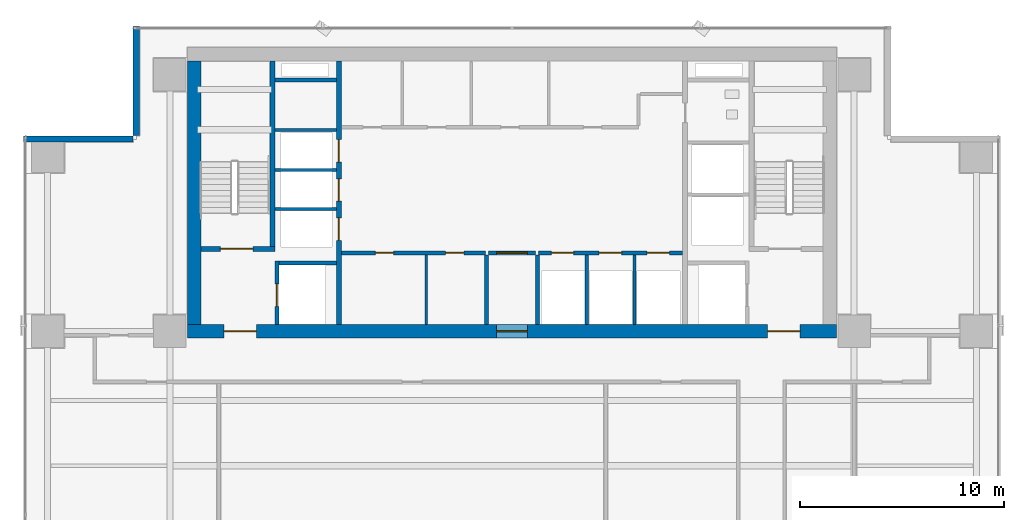
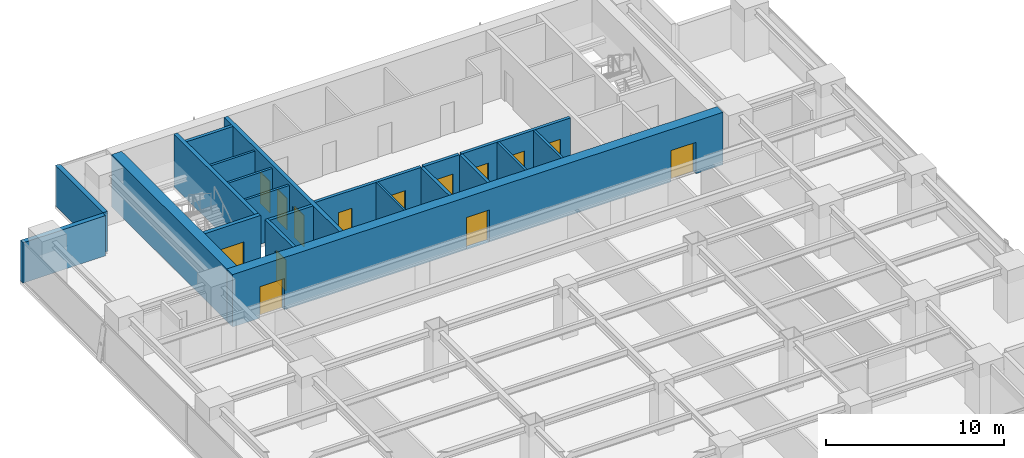
# One storey, part 21 of 27: 21 walls, 14 doors, 14 openings.
"""IFC4 building model written with IfcOpenShell, lengths in metres."""

from ifc_helpers import new_model, si_unit, direction, frame, frame_2d, origin, place, context, subcontext, project, spatial, rectangle, extrude, source, transform, mapped, material, layer, layer_set, type_object, element, fill, save


model = new_model("IFC4")

# Units and contexts
model_context = context("Model", 3, precision=1e-05, world=origin(), true_north=direction((0.0, 1.0)))
body_context = subcontext(model_context, "Body", "Model", "MODEL_VIEW")
ifc_project = project(units=[si_unit("LENGTHUNIT", "METRE"), si_unit("AREAUNIT", "SQUARE_METRE"), si_unit("VOLUMEUNIT", "CUBIC_METRE"), si_unit("PLANEANGLEUNIT", "RADIAN"), si_unit("MASSUNIT", "GRAM", prefix="KILO")], contexts=[model_context])

# Site, building, storey
site_placement = place(None, origin())
site = spatial("IfcSite", under=ifc_project, at=site_placement, CompositionType="ELEMENT")
building_placement = place(site_placement, origin())
building = spatial("IfcBuilding", under=site, at=building_placement, Name="Sumidabori Civic Tower", CompositionType="ELEMENT")
storey_placement = place(building_placement, frame((0.0, 0.0, 160.39990234375)))
storey = spatial("IfcBuildingStorey", under=building, at=storey_placement, Name="L41", CompositionType="ELEMENT", Elevation=160.39990234375)

# Walls
ifc_material_1 = material(Name="Concrete C50/60", Category="concrete")
ifc_layer_1 = layer(ifc_material_1, 0.199951171875, Name="Concrete C50/60")
ifc_layer_set_1 = layer_set([ifc_layer_1], Name="Concrete C50/60")
wall_type_1 = type_object("IfcWallType", Name="WL-SHAFT-200", PredefinedType="SHEAR", material=ifc_layer_set_1)
shared_shape_1 = source(origin(), body_context, "Body", "SweptSolid", [
    extrude(rectangle(XDim=2.824951171875, YDim=0.199951171875, at=frame_2d((1.41259765625, 0.0))), origin(), (0.0, 0.0, 1.0), 3.60009765625),
])
wall_1_placement = place(storey_placement, frame((-11.449951171875, 13.550048828125, 0.0), z_axis=(0.0, 0.0, 1.0), x_axis=(1.0, 0.0, 0.0)))
element("IfcWall", 1, at=wall_1_placement, inside=storey, type_object=wall_type_1, Name="Core Shear Wall L41 EL1-N", PredefinedType="SHEAR", context=body_context, shape_type="MappedRepresentation", body=[
    mapped(shared_shape_1, transform((0.0, 0.0, 0.0), x_axis=(1.0, 0.0, 0.0), y_axis=(0.0, 1.0, 0.0), z_axis=(0.0, 0.0, 1.0), scale=1.0)),
])
shared_shape_2 = source(origin(), body_context, "Body", "SweptSolid", [
    extrude(rectangle(XDim=3.02001953125, YDim=0.199951171875, at=frame_2d((1.510009765625, 0.0))), origin(), (0.0, 0.0, 1.0), 3.60009765625),
])
wall_2_placement = place(storey_placement, frame((-11.64501953125, 22.550048828125, 0.0), z_axis=(0.0, 0.0, 1.0), x_axis=(1.0, 0.0, 0.0)))
element("IfcWall", 2, at=wall_2_placement, inside=storey, type_object=wall_type_1, Name="Core Shear Wall L41 RIS1-S", PredefinedType="SHEAR", context=body_context, shape_type="MappedRepresentation", body=[
    mapped(shared_shape_2, transform((0.0, 0.0, 0.0), x_axis=(1.0, 0.0, 0.0), y_axis=(0.0, 1.0, 0.0), z_axis=(0.0, 0.0, 1.0), scale=1.0)),
])

# Wall, openings, doors
ifc_material_2 = material(Name="Concrete C60/75", Category="concrete")
ifc_layer_2 = layer(ifc_material_2, 0.64990234375, Name="Concrete C60/75")
ifc_layer_set_2 = layer_set([ifc_layer_2], Name="Concrete C60/75")
wall_type_2 = type_object("IfcWallType", Name="WL-CORE-650", PredefinedType="SHEAR", material=ifc_layer_set_2)
shared_shape_3 = source(origin(), body_context, "Body", "SweptSolid", [
    extrude(rectangle(XDim=31.85009765625, YDim=0.64990234375, at=frame_2d((15.925048828125, 0.0))), origin(), (0.0, 0.0, 1.0), 3.60009765625),
])
wall_3_placement = place(storey_placement, frame((-15.925048828125, 10.199951171875, 0.0), z_axis=(0.0, 0.0, 1.0), x_axis=(1.0, 0.0, 0.0)))
wall_3 = element("IfcWall", 3, at=wall_3_placement, inside=storey, type_object=wall_type_2, Name="Core Shear Wall L41 S", PredefinedType="SHEAR", context=body_context, shape_type="MappedRepresentation", body=[
    mapped(shared_shape_3, transform((0.0, 0.0, 0.0), x_axis=(1.0, 0.0, 0.0), y_axis=(0.0, 1.0, 0.0), z_axis=(0.0, 0.0, 1.0), scale=1.0)),
])
opening_1_placement = place(wall_3_placement, frame((1.77490234375, 0.0, 0.0)))
opening_1 = element("IfcOpeningElement", 4, at=opening_1_placement, cuts=wall_3, Name="Opening DR-FD4", PredefinedType="OPENING", context=body_context, shape_type="SweptSolid", body=[
    extrude(rectangle(XDim=1.60009765625, YDim=2.14990234375, at=frame_2d((0.800048828125, 1.074951171875))), frame((0.0, 0.3369140625, 0.0), z_axis=(0.0, -1.0, 0.0), x_axis=(1.0, 0.0, 0.0)), (0.0, 0.0, 1.0), 0.673828125),
])
opening_2_placement = place(wall_3_placement, frame((28.47509765625, 0.0, 0.0)))
opening_2 = element("IfcOpeningElement", 5, at=opening_2_placement, cuts=wall_3, Name="Opening DR-FD4", PredefinedType="OPENING", context=body_context, shape_type="SweptSolid", body=[
    extrude(rectangle(XDim=1.60009765625, YDim=2.14990234375, at=frame_2d((0.800048828125, 1.074951171875))), frame((0.0, 0.3369140625, 0.0), z_axis=(0.0, -1.0, 0.0), x_axis=(1.0, 0.0, 0.0)), (0.0, 0.0, 1.0), 0.673828125),
])
opening_3_placement = place(wall_3_placement, frame((15.175048828125, 0.0, 0.0)))
opening_3 = element("IfcOpeningElement", 6, at=opening_3_placement, cuts=wall_3, Name="Opening DR-FD3", PredefinedType="OPENING", context=body_context, shape_type="SweptSolid", body=[
    extrude(rectangle(XDim=1.5, YDim=2.199951171875, at=frame_2d((0.75, 1.10009765625))), frame((0.0, 0.3369140625, 0.0), z_axis=(0.0, -1.0, 0.0), x_axis=(1.0, 0.0, 0.0)), (0.0, 0.0, 1.0), 0.673828125),
])
ifc_material_3 = material(Name="Steel SN490", Category="steel")
door_type_1 = type_object("IfcDoorType", Name="DR-FD4", OperationType="DOUBLE_DOOR_SINGLE_SWING", PredefinedType="DOOR", material=ifc_material_3)
shared_shape_4 = source(origin(), body_context, "Body", "SweptSolid", [
    extrude(rectangle(XDim=1.60009765625, YDim=2.14990234375, at=frame_2d((0.800048828125, 1.074951171875))), frame((0.0, 0.02490234375, 0.0), z_axis=(0.0, -1.0, 0.0), x_axis=(1.0, 0.0, 0.0)), (0.0, 0.0, 1.0), 0.050048828125),
])
door_1_placement = place(opening_1_placement, origin())
door_1 = element("IfcDoor", 7, at=door_1_placement, inside=storey, type_object=door_type_1, Name="Door DR:L41:ELOB-W", OperationType="DOUBLE_DOOR_SINGLE_SWING", OverallHeight=2.14990234375, OverallWidth=1.60009765625, PredefinedType="DOOR", context=body_context, shape_type="MappedRepresentation", body=[
    mapped(shared_shape_4, transform((0.0, 0.0, 0.0), x_axis=(1.0, 0.0, 0.0), y_axis=(0.0, 1.0, 0.0), z_axis=(0.0, 0.0, 1.0), scale=1.0)),
])
fill(opening_1, door_1)
door_2_placement = place(opening_2_placement, origin())
door_2 = element("IfcDoor", 8, at=door_2_placement, inside=storey, type_object=door_type_1, Name="Door DR:L41:ELOB-E", OperationType="DOUBLE_DOOR_SINGLE_SWING", OverallHeight=2.14990234375, OverallWidth=1.60009765625, PredefinedType="DOOR", context=body_context, shape_type="MappedRepresentation", body=[
    mapped(shared_shape_4, transform((0.0, 0.0, 0.0), x_axis=(1.0, 0.0, 0.0), y_axis=(0.0, 1.0, 0.0), z_axis=(0.0, 0.0, 1.0), scale=1.0)),
])
fill(opening_2, door_2)
door_type_2 = type_object("IfcDoorType", Name="DR-FD-DBL", OperationType="DOUBLE_DOOR_SINGLE_SWING", PredefinedType="DOOR", material=ifc_material_3)
shared_shape_5 = source(origin(), body_context, "Body", "SweptSolid", [
    extrude(rectangle(XDim=1.5, YDim=2.199951171875, at=frame_2d((0.75, 1.10009765625))), frame((0.0, 0.02490234375, 0.0), z_axis=(0.0, -1.0, 0.0), x_axis=(1.0, 0.0, 0.0)), (0.0, 0.0, 1.0), 0.050048828125),
])
door_3_placement = place(opening_3_placement, origin())
door_3 = element("IfcDoor", 9, at=door_3_placement, inside=storey, type_object=door_type_2, Name="Door DR:L41:THROAT-OUT", OperationType="DOUBLE_DOOR_SINGLE_SWING", OverallHeight=2.199951171875, OverallWidth=1.5, PredefinedType="DOOR", context=body_context, shape_type="MappedRepresentation", body=[
    mapped(shared_shape_5, transform((0.0, 0.0, 0.0), x_axis=(1.0, 0.0, 0.0), y_axis=(0.0, 1.0, 0.0), z_axis=(0.0, 0.0, 1.0), scale=1.0)),
])
fill(opening_3, door_3)

# Wall
shared_shape_6 = source(origin(), body_context, "Body", "SweptSolid", [
    extrude(rectangle(XDim=12.9501953125, YDim=0.64990234375, at=frame_2d((6.47509765625, 0.0))), origin(), (0.0, 0.0, 1.0), 3.60009765625),
])
wall_4_placement = place(storey_placement, frame((-15.60009765625, 10.52490234375, 0.0), z_axis=(0.0, 0.0, 1.0), x_axis=(0.0, 1.0, 0.0)))
element("IfcWall", 10, at=wall_4_placement, inside=storey, type_object=wall_type_2, Name="Core Shear Wall L41 W", PredefinedType="SHEAR", context=body_context, shape_type="MappedRepresentation", body=[
    mapped(shared_shape_6, transform((0.0, 0.0, 0.0), x_axis=(1.0, 0.0, 0.0), y_axis=(0.0, 1.0, 0.0), z_axis=(0.0, 0.0, 1.0), scale=1.0)),
])

# Wall, openings, doors
ifc_layer_3 = layer(ifc_material_1, 0.25, Name="Concrete C50/60")
ifc_layer_set_3 = layer_set([ifc_layer_3], Name="Concrete C50/60")
wall_type_3 = type_object("IfcWallType", Name="WL-SHAFT-250", PredefinedType="SHEAR", material=ifc_layer_set_3)
shared_shape_7 = source(origin(), body_context, "Body", "SweptSolid", [
    extrude(rectangle(XDim=12.9501953125, YDim=0.25, at=frame_2d((6.47509765625, 0.0))), origin(), (0.0, 0.0, 1.0), 3.60009765625),
])
wall_5_placement = place(storey_placement, frame((-8.5, 10.52490234375, 0.0), z_axis=(0.0, 0.0, 1.0), x_axis=(0.0, 1.0, 0.0)))
wall_5 = element("IfcWall", 11, at=wall_5_placement, inside=storey, type_object=wall_type_3, Name="Core Shear Wall L41 WEB-W", PredefinedType="SHEAR", context=body_context, shape_type="MappedRepresentation", body=[
    mapped(shared_shape_7, transform((0.0, 0.0, 0.0), x_axis=(1.0, 0.0, 0.0), y_axis=(0.0, 1.0, 0.0), z_axis=(0.0, 0.0, 1.0), scale=1.0)),
])
opening_4_placement = place(wall_5_placement, frame((4.14501953125, 0.0, 0.0)))
opening_4 = element("IfcOpeningElement", 12, at=opening_4_placement, cuts=wall_5, Name="Opening LD-1", PredefinedType="OPENING", context=body_context, shape_type="SweptSolid", body=[
    extrude(rectangle(XDim=1.10009765625, YDim=2.14990234375, at=frame_2d((0.550048828125, 1.074951171875))), frame((0.0, 0.136962890625, 0.0), z_axis=(0.0, -1.0, 0.0), x_axis=(1.0, 0.0, 0.0)), (0.0, 0.0, 1.0), 0.27392578125),
])
opening_5_placement = place(wall_5_placement, frame((6.06494140625, 0.0, 0.0)))
opening_5 = element("IfcOpeningElement", 13, at=opening_5_placement, cuts=wall_5, Name="Opening LD-1", PredefinedType="OPENING", context=body_context, shape_type="SweptSolid", body=[
    extrude(rectangle(XDim=1.10009765625, YDim=2.14990234375, at=frame_2d((0.550048828125, 1.074951171875))), frame((0.0, 0.136962890625, 0.0), z_axis=(0.0, -1.0, 0.0), x_axis=(1.0, 0.0, 0.0)), (0.0, 0.0, 1.0), 0.27392578125),
])
opening_6_placement = place(wall_5_placement, frame((7.985107421875, 0.0, 0.0)))
opening_6 = element("IfcOpeningElement", 14, at=opening_6_placement, cuts=wall_5, Name="Opening LD-1", PredefinedType="OPENING", context=body_context, shape_type="SweptSolid", body=[
    extrude(rectangle(XDim=1.10009765625, YDim=2.14990234375, at=frame_2d((0.550048828125, 1.074951171875))), frame((0.0, 0.136962890625, 0.0), z_axis=(0.0, -1.0, 0.0), x_axis=(1.0, 0.0, 0.0)), (0.0, 0.0, 1.0), 0.27392578125),
])
ifc_material_4 = material(Name="Stainless Steel Hairline Finish", Category="steel")
door_type_3 = type_object("IfcDoorType", Name="DR-LD1", OperationType="DOUBLE_DOOR_SLIDING", PredefinedType="DOOR", material=ifc_material_4)
shared_shape_8 = source(origin(), body_context, "Body", "SweptSolid", [
    extrude(rectangle(XDim=1.10009765625, YDim=2.14990234375, at=frame_2d((0.550048828125, 1.074951171875))), frame((0.0, 0.02490234375, 0.0), z_axis=(0.0, -1.0, 0.0), x_axis=(1.0, 0.0, 0.0)), (0.0, 0.0, 1.0), 0.050048828125),
])
door_4_placement = place(opening_4_placement, origin())
door_4 = element("IfcDoor", 15, at=door_4_placement, inside=storey, type_object=door_type_3, Name="Door DR:L41:LD-PLH1", OperationType="DOUBLE_DOOR_SLIDING", OverallHeight=2.14990234375, OverallWidth=1.10009765625, PredefinedType="DOOR", context=body_context, shape_type="MappedRepresentation", body=[
    mapped(shared_shape_8, transform((0.0, 0.0, 0.0), x_axis=(1.0, 0.0, 0.0), y_axis=(0.0, 1.0, 0.0), z_axis=(0.0, 0.0, 1.0), scale=1.0)),
])
fill(opening_4, door_4)
door_5_placement = place(opening_5_placement, origin())
door_5 = element("IfcDoor", 16, at=door_5_placement, inside=storey, type_object=door_type_3, Name="Door DR:L41:LD-PLH2", OperationType="DOUBLE_DOOR_SLIDING", OverallHeight=2.14990234375, OverallWidth=1.10009765625, PredefinedType="DOOR", context=body_context, shape_type="MappedRepresentation", body=[
    mapped(shared_shape_8, transform((0.0, 0.0, 0.0), x_axis=(1.0, 0.0, 0.0), y_axis=(0.0, 1.0, 0.0), z_axis=(0.0, 0.0, 1.0), scale=1.0)),
])
fill(opening_5, door_5)
door_6_placement = place(opening_6_placement, origin())
door_6 = element("IfcDoor", 17, at=door_6_placement, inside=storey, type_object=door_type_3, Name="Door DR:L41:LD-PLH3", OperationType="DOUBLE_DOOR_SLIDING", OverallHeight=2.14990234375, OverallWidth=1.10009765625, PredefinedType="DOOR", context=body_context, shape_type="MappedRepresentation", body=[
    mapped(shared_shape_8, transform((0.0, 0.0, 0.0), x_axis=(1.0, 0.0, 0.0), y_axis=(0.0, 1.0, 0.0), z_axis=(0.0, 0.0, 1.0), scale=1.0)),
])
fill(opening_6, door_6)

# Wall, opening, door
shared_shape_9 = source(origin(), body_context, "Body", "SweptSolid", [
    extrude(rectangle(XDim=3.6298828125, YDim=0.25, at=frame_2d((1.81494140625, 0.0))), origin(), (0.0, 0.0, 1.0), 3.60009765625),
])
wall_6_placement = place(storey_placement, frame((-15.27490234375, 14.25, 0.0), z_axis=(0.0, 0.0, 1.0), x_axis=(1.0, 0.0, 0.0)))
wall_6 = element("IfcWall", 18, at=wall_6_placement, inside=storey, type_object=wall_type_3, Name="Core Shear Wall L41 ST1-S", PredefinedType="SHEAR", context=body_context, shape_type="MappedRepresentation", body=[
    mapped(shared_shape_9, transform((0.0, 0.0, 0.0), x_axis=(1.0, 0.0, 0.0), y_axis=(0.0, 1.0, 0.0), z_axis=(0.0, 0.0, 1.0), scale=1.0)),
])
opening_7_placement = place(wall_6_placement, frame((0.949951171875, 0.0, 0.0)))
opening_7 = element("IfcOpeningElement", 19, at=opening_7_placement, cuts=wall_6, Name="Opening DR-FD4", PredefinedType="OPENING", context=body_context, shape_type="SweptSolid", body=[
    extrude(rectangle(XDim=1.60009765625, YDim=2.14990234375, at=frame_2d((0.800048828125, 1.074951171875))), frame((0.0, 0.136962890625, 0.0), z_axis=(0.0, -1.0, 0.0), x_axis=(1.0, 0.0, 0.0)), (0.0, 0.0, 1.0), 0.27392578125),
])
door_7_placement = place(opening_7_placement, origin())
door_7 = element("IfcDoor", 20, at=door_7_placement, inside=storey, type_object=door_type_1, Name="Door DR:L41:ST1", OperationType="DOUBLE_DOOR_SINGLE_SWING", OverallHeight=2.14990234375, OverallWidth=1.60009765625, PredefinedType="DOOR", context=body_context, shape_type="MappedRepresentation", body=[
    mapped(shared_shape_4, transform((0.0, 0.0, 0.0), x_axis=(1.0, 0.0, 0.0), y_axis=(0.0, 1.0, 0.0), z_axis=(0.0, 0.0, 1.0), scale=1.0)),
])
fill(opening_7, door_7)

# Wall
shared_shape_10 = source(origin(), body_context, "Body", "SweptSolid", [
    extrude(rectangle(XDim=9.10009765625, YDim=0.25, at=frame_2d((4.550048828125, 0.0))), origin(), (0.0, 0.0, 1.0), 3.60009765625),
])
wall_7_placement = place(storey_placement, frame((-11.77001953125, 14.375, 0.0), z_axis=(0.0, 0.0, 1.0), x_axis=(0.0, 1.0, 0.0)))
element("IfcWall", 21, at=wall_7_placement, inside=storey, type_object=wall_type_3, Name="Core Shear Wall L41 ST1-E", PredefinedType="SHEAR", context=body_context, shape_type="MappedRepresentation", body=[
    mapped(shared_shape_10, transform((0.0, 0.0, 0.0), x_axis=(1.0, 0.0, 0.0), y_axis=(0.0, 1.0, 0.0), z_axis=(0.0, 0.0, 1.0), scale=1.0)),
])

# Wall, opening, door
shared_shape_11 = source(origin(), body_context, "Body", "SweptSolid", [
    extrude(rectangle(XDim=3.125, YDim=0.199951171875, at=frame_2d((1.5625, 0.0))), origin(), (0.0, 0.0, 1.0), 3.60009765625),
])
wall_8_placement = place(storey_placement, frame((-11.550048828125, 10.52490234375, 0.0), z_axis=(0.0, 0.0, 1.0), x_axis=(0.0, 1.0, 0.0)))
wall_8 = element("IfcWall", 22, at=wall_8_placement, inside=storey, type_object=wall_type_1, Name="Core Shear Wall L41 EL1-W", PredefinedType="SHEAR", context=body_context, shape_type="MappedRepresentation", body=[
    mapped(shared_shape_11, transform((0.0, 0.0, 0.0), x_axis=(1.0, 0.0, 0.0), y_axis=(0.0, 1.0, 0.0), z_axis=(0.0, 0.0, 1.0), scale=1.0)),
])
opening_8_placement = place(wall_8_placement, frame((0.89990234375, 0.0, 0.0)))
opening_8 = element("IfcOpeningElement", 23, at=opening_8_placement, cuts=wall_8, Name="Opening LD-2", PredefinedType="OPENING", context=body_context, shape_type="SweptSolid", body=[
    extrude(rectangle(XDim=1.10009765625, YDim=2.14990234375, at=frame_2d((0.550048828125, 1.074951171875))), frame((0.0, 0.11181640625, 0.0), z_axis=(0.0, -1.0, 0.0), x_axis=(1.0, 0.0, 0.0)), (0.0, 0.0, 1.0), 0.223876953125),
])
door_type_4 = type_object("IfcDoorType", Name="DR-LD2", OperationType="DOUBLE_DOOR_SLIDING", PredefinedType="DOOR", material=ifc_material_4)
door_8_placement = place(opening_8_placement, origin())
door_8 = element("IfcDoor", 24, at=door_8_placement, inside=storey, type_object=door_type_4, Name="Door DR:L41:LD-EL1", OperationType="DOUBLE_DOOR_SLIDING", OverallHeight=2.14990234375, OverallWidth=1.10009765625, PredefinedType="DOOR", context=body_context, shape_type="MappedRepresentation", body=[
    mapped(shared_shape_8, transform((0.0, 0.0, 0.0), x_axis=(1.0, 0.0, 0.0), y_axis=(0.0, 1.0, 0.0), z_axis=(0.0, 0.0, 1.0), scale=1.0)),
])
fill(opening_8, door_8)

# Walls
ifc_material_5 = material(Name="Precast concrete C40/50", Category="concrete")
ifc_layer_4 = layer(ifc_material_5, 0.300048828125, Name="Precast concrete C40/50")
ifc_layer_set_4 = layer_set([ifc_layer_4], Name="Precast concrete C40/50")
wall_type_4 = type_object("IfcWallType", Name="WL-EXT-POD300", PredefinedType="STANDARD", material=ifc_layer_set_4)
shared_shape_12 = source(origin(), body_context, "Body", "SweptSolid", [
    extrude(rectangle(XDim=5.35986328125, YDim=0.300048828125, at=frame_2d((2.679931640625, 0.0))), origin(), (0.0, 0.0, 1.0), 2.760009765625),
])
for number, where, z_axis, x_axis, name in (
    (25, (-18.449951171875, 25.179931640625, 0.0), (0.0, 0.0, 1.0), (0.0, -1.0, 0.0), "Notched Corner Spandrel Band L41-08"),
    (26, (-18.6201171875, 19.64990234375, 0.0), (0.0, 0.0, 1.0), (-1.0, 0.0, 0.0), "Notched Corner Spandrel Band L41-09"),
):
    element("IfcWall", number, at=place(storey_placement, frame(where, z_axis=z_axis, x_axis=x_axis)), inside=storey, type_object=wall_type_4, Name=name, PredefinedType="STANDARD", context=body_context, shape_type="MappedRepresentation", body=[
        mapped(shared_shape_12, transform((0.0, 0.0, 0.0), x_axis=(1.0, 0.0, 0.0), y_axis=(0.0, 1.0, 0.0), z_axis=(0.0, 0.0, 1.0), scale=1.0)),
    ])
ifc_material_6 = material(Name="Gypsum Plasterboard Acoustic Partition")
ifc_layer_5 = layer(ifc_material_6, 0.14990234375, Name="Gypsum Plasterboard Acoustic Partition")
ifc_layer_set_5 = layer_set([ifc_layer_5], Name="Gypsum Plasterboard Acoustic Partition")
wall_type_5 = type_object("IfcWallType", Name="WL-PART-150", PredefinedType="PARTITIONING", material=ifc_layer_set_5)
shared_shape_13 = source(origin(), body_context, "Body", "SweptSolid", [
    extrude(rectangle(XDim=3.010009765625, YDim=0.14990234375, at=frame_2d((1.5048828125, 0.0))), origin(), (0.0, 0.0, 1.0), 3.380126953125),
])
for number, where, z_axis, x_axis, name in (
    (27, (-11.639892578125, 16.199951171875, 0.0), (0.0, 0.0, 1.0), (1.0, 0.0, 0.0), "Interior Partition WL:L41:DIV-PLH1"),
    (28, (-11.639892578125, 18.1201171875, 0.0), (0.0, 0.0, 1.0), (1.0, 0.0, 0.0), "Interior Partition WL:L41:DIV-PLH2"),
    (29, (-11.639892578125, 20.080078125, 0.0), (0.0, 0.0, 1.0), (1.0, 0.0, 0.0), "Interior Partition WL:L41:DIV-PLH3"),
):
    element("IfcWall", number, at=place(storey_placement, frame(where, z_axis=z_axis, x_axis=x_axis)), inside=storey, type_object=wall_type_5, Name=name, PredefinedType="PARTITIONING", context=body_context, shape_type="MappedRepresentation", body=[
        mapped(shared_shape_13, transform((0.0, 0.0, 0.0), x_axis=(1.0, 0.0, 0.0), y_axis=(0.0, 1.0, 0.0), z_axis=(0.0, 0.0, 1.0), scale=1.0)),
    ])

# Wall, openings, doors
ifc_material_7 = material(Name="Gypsum Plasterboard Fire Partition")
ifc_layer_6 = layer(ifc_material_7, 0.199951171875, Name="Gypsum Plasterboard Fire Partition")
ifc_layer_set_6 = layer_set([ifc_layer_6], Name="Gypsum Plasterboard Fire Partition")
wall_type_6 = type_object("IfcWallType", Name="WL-PART-FIRE", PredefinedType="PARTITIONING", material=ifc_layer_set_6)
shared_shape_14 = source(origin(), body_context, "Body", "SweptSolid", [
    extrude(rectangle(XDim=7.070068359375, YDim=0.199951171875, at=frame_2d((3.53515625, 0.0))), origin(), (0.0, 0.0, 1.0), 3.380126953125),
])
wall_9_placement = place(storey_placement, frame((-8.3701171875, 14.050048828125, 0.0), z_axis=(0.0, 0.0, 1.0), x_axis=(1.0, 0.0, 0.0)))
wall_9 = element("IfcWall", 30, at=wall_9_placement, inside=storey, type_object=wall_type_6, Name="Interior Partition WL:L41:CBAND-SW", PredefinedType="PARTITIONING", context=body_context, shape_type="MappedRepresentation", body=[
    mapped(shared_shape_14, transform((0.0, 0.0, 0.0), x_axis=(1.0, 0.0, 0.0), y_axis=(0.0, 1.0, 0.0), z_axis=(0.0, 0.0, 1.0), scale=1.0)),
])
opening_9_placement = place(wall_9_placement, frame((1.659912109375, 0.0, 0.0)))
opening_9 = element("IfcOpeningElement", 31, at=opening_9_placement, cuts=wall_9, Name="Opening DR-1", PredefinedType="OPENING", context=body_context, shape_type="SweptSolid", body=[
    extrude(rectangle(XDim=0.89990234375, YDim=2.14990234375, at=frame_2d((0.449951171875, 1.074951171875))), frame((0.0, 0.11181640625, 0.0), z_axis=(0.0, -1.0, 0.0), x_axis=(1.0, 0.0, 0.0)), (0.0, 0.0, 1.0), 0.223876953125),
])
opening_10_placement = place(wall_9_placement, frame((5.110107421875, 0.0, 0.0)))
opening_10 = element("IfcOpeningElement", 32, at=opening_10_placement, cuts=wall_9, Name="Opening DR-1", PredefinedType="OPENING", context=body_context, shape_type="SweptSolid", body=[
    extrude(rectangle(XDim=0.89990234375, YDim=2.14990234375, at=frame_2d((0.449951171875, 1.074951171875))), frame((0.0, 0.11181640625, 0.0), z_axis=(0.0, -1.0, 0.0), x_axis=(1.0, 0.0, 0.0)), (0.0, 0.0, 1.0), 0.223876953125),
])
ifc_material_8 = material(Name="Japanese Hinoki Timber", Category="wood")
door_type_5 = type_object("IfcDoorType", Name="DR-INT-900", OperationType="NOTDEFINED", PredefinedType="DOOR", material=ifc_material_8)
shared_shape_15 = source(origin(), body_context, "Body", "SweptSolid", [
    extrude(rectangle(XDim=0.89990234375, YDim=2.14990234375, at=frame_2d((0.449951171875, 1.074951171875))), frame((0.0, 0.02490234375, 0.0), z_axis=(0.0, -1.0, 0.0), x_axis=(1.0, 0.0, 0.0)), (0.0, 0.0, 1.0), 0.050048828125),
])
door_9_placement = place(opening_9_placement, origin())
door_9 = element("IfcDoor", 33, at=door_9_placement, inside=storey, type_object=door_type_5, Name="Door DR:L41:REC-B1A", OperationType="SINGLE_SWING_LEFT", OverallHeight=2.14990234375, OverallWidth=0.89990234375, PredefinedType="DOOR", context=body_context, shape_type="MappedRepresentation", body=[
    mapped(shared_shape_15, transform((0.0, 0.0, 0.0), x_axis=(1.0, 0.0, 0.0), y_axis=(0.0, 1.0, 0.0), z_axis=(0.0, 0.0, 1.0), scale=1.0)),
])
fill(opening_9, door_9)
door_10_placement = place(opening_10_placement, origin())
door_10 = element("IfcDoor", 34, at=door_10_placement, inside=storey, type_object=door_type_5, Name="Door DR:L41:REC-B1B", OperationType="SINGLE_SWING_RIGHT", OverallHeight=2.14990234375, OverallWidth=0.89990234375, PredefinedType="DOOR", context=body_context, shape_type="MappedRepresentation", body=[
    mapped(shared_shape_15, transform((0.0, 0.0, 0.0), x_axis=(1.0, 0.0, 0.0), y_axis=(0.0, 1.0, 0.0), z_axis=(0.0, 0.0, 1.0), scale=1.0)),
])
fill(opening_10, door_10)

wall_10_placement = place(storey_placement, frame((1.300048828125, 14.050048828125, 0.0), z_axis=(0.0, 0.0, 1.0), x_axis=(1.0, 0.0, 0.0)))
wall_10 = element("IfcWall", 35, at=wall_10_placement, inside=storey, type_object=wall_type_6, Name="Interior Partition WL:L41:CBAND-SE", PredefinedType="PARTITIONING", context=body_context, shape_type="MappedRepresentation", body=[
    mapped(shared_shape_14, transform((0.0, 0.0, 0.0), x_axis=(1.0, 0.0, 0.0), y_axis=(0.0, 1.0, 0.0), z_axis=(0.0, 0.0, 1.0), scale=1.0)),
])
opening_11_placement = place(wall_10_placement, frame((0.6298828125, 0.0, 0.0)))
opening_11 = element("IfcOpeningElement", 36, at=opening_11_placement, cuts=wall_10, Name="Opening LD-1", PredefinedType="OPENING", context=body_context, shape_type="SweptSolid", body=[
    extrude(rectangle(XDim=1.10009765625, YDim=2.14990234375, at=frame_2d((0.550048828125, 1.074951171875))), frame((0.0, 0.11181640625, 0.0), z_axis=(0.0, -1.0, 0.0), x_axis=(1.0, 0.0, 0.0)), (0.0, 0.0, 1.0), 0.223876953125),
])
opening_12_placement = place(wall_10_placement, frame((2.97998046875, 0.0, 0.0)))
opening_12 = element("IfcOpeningElement", 37, at=opening_12_placement, cuts=wall_10, Name="Opening LD-1", PredefinedType="OPENING", context=body_context, shape_type="SweptSolid", body=[
    extrude(rectangle(XDim=1.10009765625, YDim=2.14990234375, at=frame_2d((0.550048828125, 1.074951171875))), frame((0.0, 0.11181640625, 0.0), z_axis=(0.0, -1.0, 0.0), x_axis=(1.0, 0.0, 0.0)), (0.0, 0.0, 1.0), 0.223876953125),
])
opening_13_placement = place(wall_10_placement, frame((5.330078125, 0.0, 0.0)))
opening_13 = element("IfcOpeningElement", 38, at=opening_13_placement, cuts=wall_10, Name="Opening LD-1", PredefinedType="OPENING", context=body_context, shape_type="SweptSolid", body=[
    extrude(rectangle(XDim=1.10009765625, YDim=2.14990234375, at=frame_2d((0.550048828125, 1.074951171875))), frame((0.0, 0.11181640625, 0.0), z_axis=(0.0, -1.0, 0.0), x_axis=(1.0, 0.0, 0.0)), (0.0, 0.0, 1.0), 0.223876953125),
])
door_11_placement = place(opening_11_placement, origin())
door_11 = element("IfcDoor", 39, at=door_11_placement, inside=storey, type_object=door_type_3, Name="Door DR:L41:LD-PLM1", OperationType="DOUBLE_DOOR_SLIDING", OverallHeight=2.14990234375, OverallWidth=1.10009765625, PredefinedType="DOOR", context=body_context, shape_type="MappedRepresentation", body=[
    mapped(shared_shape_8, transform((0.0, 0.0, 0.0), x_axis=(1.0, 0.0, 0.0), y_axis=(0.0, 1.0, 0.0), z_axis=(0.0, 0.0, 1.0), scale=1.0)),
])
fill(opening_11, door_11)
door_12_placement = place(opening_12_placement, origin())
door_12 = element("IfcDoor", 40, at=door_12_placement, inside=storey, type_object=door_type_3, Name="Door DR:L41:LD-PLM2", OperationType="DOUBLE_DOOR_SLIDING", OverallHeight=2.14990234375, OverallWidth=1.10009765625, PredefinedType="DOOR", context=body_context, shape_type="MappedRepresentation", body=[
    mapped(shared_shape_8, transform((0.0, 0.0, 0.0), x_axis=(1.0, 0.0, 0.0), y_axis=(0.0, 1.0, 0.0), z_axis=(0.0, 0.0, 1.0), scale=1.0)),
])
fill(opening_12, door_12)
door_13_placement = place(opening_13_placement, origin())
door_13 = element("IfcDoor", 41, at=door_13_placement, inside=storey, type_object=door_type_3, Name="Door DR:L41:LD-PLM3", OperationType="DOUBLE_DOOR_SLIDING", OverallHeight=2.14990234375, OverallWidth=1.10009765625, PredefinedType="DOOR", context=body_context, shape_type="MappedRepresentation", body=[
    mapped(shared_shape_8, transform((0.0, 0.0, 0.0), x_axis=(1.0, 0.0, 0.0), y_axis=(0.0, 1.0, 0.0), z_axis=(0.0, 0.0, 1.0), scale=1.0)),
])
fill(opening_13, door_13)

# Walls
shared_shape_16 = source(origin(), body_context, "Body", "SweptSolid", [
    extrude(rectangle(XDim=3.4150390625, YDim=0.199951171875, at=frame_2d((1.70751953125, 0.0))), origin(), (0.0, 0.0, 1.0), 3.380126953125),
])
for number, where, z_axis, x_axis, name in (
    (42, (-1.25, 10.52490234375, 0.0), (0.0, 0.0, 1.0), (0.0, 1.0, 0.0), "Interior Partition WL:L41:THROAT-W"),
    (43, (1.25, 10.52490234375, 0.0), (0.0, 0.0, 1.0), (0.0, 1.0, 0.0), "Interior Partition WL:L41:THROAT-E"),
):
    element("IfcWall", number, at=place(storey_placement, frame(where, z_axis=z_axis, x_axis=x_axis)), inside=storey, type_object=wall_type_6, Name=name, PredefinedType="PARTITIONING", context=body_context, shape_type="MappedRepresentation", body=[
        mapped(shared_shape_16, transform((0.0, 0.0, 0.0), x_axis=(1.0, 0.0, 0.0), y_axis=(0.0, 1.0, 0.0), z_axis=(0.0, 0.0, 1.0), scale=1.0)),
    ])

# Wall, opening, door
shared_shape_17 = source(origin(), body_context, "Body", "SweptSolid", [
    extrude(rectangle(XDim=2.2998046875, YDim=0.199951171875, at=frame_2d((1.14990234375, 0.0))), origin(), (0.0, 0.0, 1.0), 3.380126953125),
])
wall_11_placement = place(storey_placement, frame((-1.14990234375, 14.050048828125, 0.0), z_axis=(0.0, 0.0, 1.0), x_axis=(1.0, 0.0, 0.0)))
wall_11 = element("IfcWall", 44, at=wall_11_placement, inside=storey, type_object=wall_type_6, Name="Interior Partition WL:L41:THROAT-N", PredefinedType="PARTITIONING", context=body_context, shape_type="MappedRepresentation", body=[
    mapped(shared_shape_17, transform((0.0, 0.0, 0.0), x_axis=(1.0, 0.0, 0.0), y_axis=(0.0, 1.0, 0.0), z_axis=(0.0, 0.0, 1.0), scale=1.0)),
])
opening_14_placement = place(wall_11_placement, frame((0.39990234375, 0.0, 0.0)))
opening_14 = element("IfcOpeningElement", 45, at=opening_14_placement, cuts=wall_11, Name="Opening DR-FD3", PredefinedType="OPENING", context=body_context, shape_type="SweptSolid", body=[
    extrude(rectangle(XDim=1.5, YDim=2.199951171875, at=frame_2d((0.75, 1.10009765625))), frame((0.0, 0.11181640625, 0.0), z_axis=(0.0, -1.0, 0.0), x_axis=(1.0, 0.0, 0.0)), (0.0, 0.0, 1.0), 0.223876953125),
])
door_14_placement = place(opening_14_placement, origin())
door_14 = element("IfcDoor", 46, at=door_14_placement, inside=storey, type_object=door_type_2, Name="Door DR:L41:THROAT-IN", OperationType="DOUBLE_DOOR_SINGLE_SWING", OverallHeight=2.199951171875, OverallWidth=1.5, PredefinedType="DOOR", context=body_context, shape_type="MappedRepresentation", body=[
    mapped(shared_shape_5, transform((0.0, 0.0, 0.0), x_axis=(1.0, 0.0, 0.0), y_axis=(0.0, 1.0, 0.0), z_axis=(0.0, 0.0, 1.0), scale=1.0)),
])
fill(opening_14, door_14)

# Walls
ifc_layer_7 = layer(ifc_material_6, 0.1201171875, Name="Gypsum Plasterboard Acoustic Partition")
ifc_layer_set_7 = layer_set([ifc_layer_7], Name="Gypsum Plasterboard Acoustic Partition")
wall_type_7 = type_object("IfcWallType", Name="WL-PART-120", PredefinedType="PARTITIONING", material=ifc_layer_set_7)
shared_shape_18 = source(origin(), body_context, "Body", "SweptSolid", [
    extrude(rectangle(XDim=3.4150390625, YDim=0.1201171875, at=frame_2d((1.70751953125, 0.0))), origin(), (0.0, 0.0, 1.0), 3.380126953125),
])
wall_12_placement = place(storey_placement, frame((-4.199951171875, 10.52490234375, 0.0), z_axis=(0.0, 0.0, 1.0), x_axis=(0.0, 1.0, 0.0)))
element("IfcWall", 47, at=wall_12_placement, inside=storey, type_object=wall_type_7, Name="Interior Partition WL:L41:REC-B1-SP", PredefinedType="PARTITIONING", context=body_context, shape_type="MappedRepresentation", body=[
    mapped(shared_shape_18, transform((0.0, 0.0, 0.0), x_axis=(1.0, 0.0, 0.0), y_axis=(0.0, 1.0, 0.0), z_axis=(0.0, 0.0, 1.0), scale=1.0)),
])
shared_shape_19 = source(origin(), body_context, "Body", "SweptSolid", [
    extrude(rectangle(XDim=3.4150390625, YDim=0.14990234375, at=frame_2d((1.70751953125, 0.0))), origin(), (0.0, 0.0, 1.0), 3.380126953125),
])
for number, where, z_axis, x_axis, name in (
    (48, (3.669921875, 10.52490234375, 0.0), (0.0, 0.0, 1.0), (0.0, 1.0, 0.0), "Interior Partition WL:L41:DIV-PLM1"),
    (49, (6.02001953125, 10.52490234375, 0.0), (0.0, 0.0, 1.0), (0.0, 1.0, 0.0), "Interior Partition WL:L41:DIV-PLM2"),
):
    element("IfcWall", number, at=place(storey_placement, frame(where, z_axis=z_axis, x_axis=x_axis)), inside=storey, type_object=wall_type_5, Name=name, PredefinedType="PARTITIONING", context=body_context, shape_type="MappedRepresentation", body=[
        mapped(shared_shape_19, transform((0.0, 0.0, 0.0), x_axis=(1.0, 0.0, 0.0), y_axis=(0.0, 1.0, 0.0), z_axis=(0.0, 0.0, 1.0), scale=1.0)),
    ])

save(model, "model.ifc")
